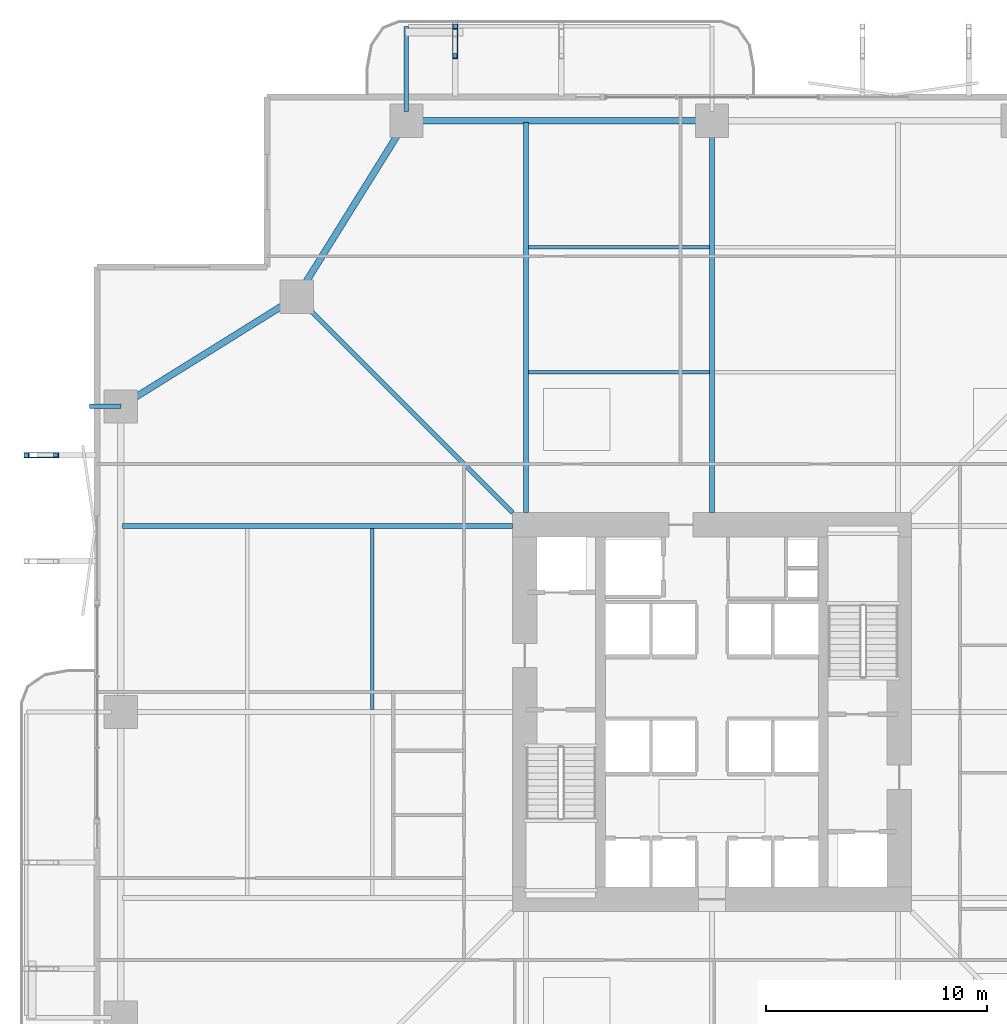
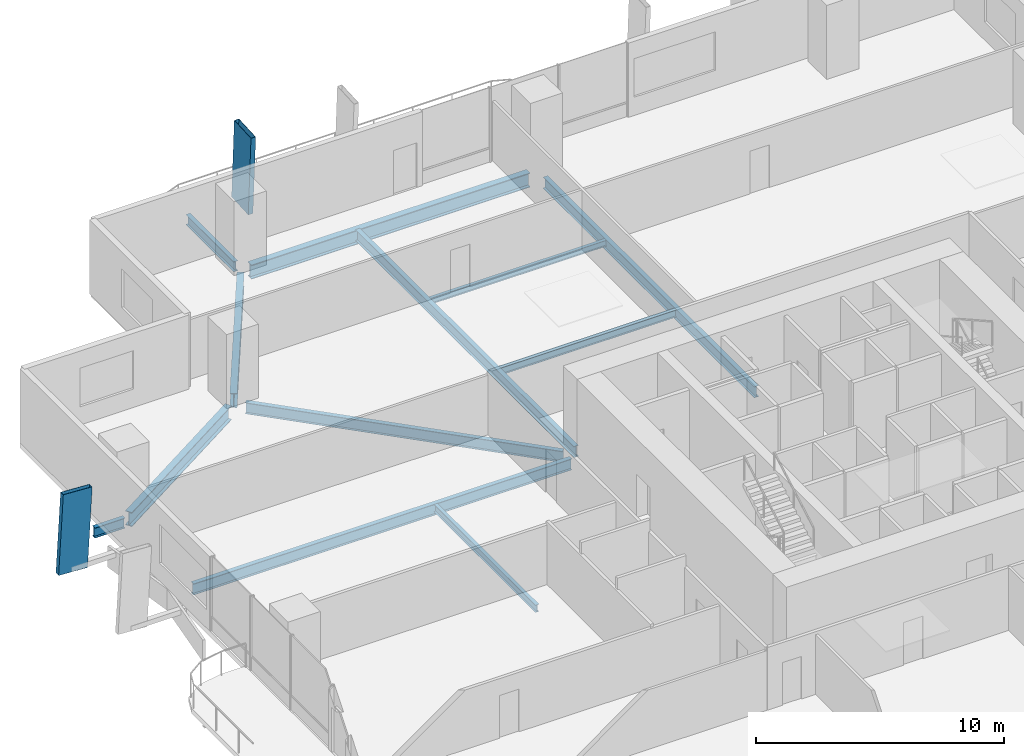
# One storey, part 10 of 24: 12 beams, 2 members.
"""IFC4 building model written with IfcOpenShell, lengths in metres."""

from ifc_helpers import new_model, si_unit, direction, frame, origin, origin_2d, place, context, subcontext, project, spatial, hollow_rectangle, i_section, extrude, material, material_profile, profile_set, type_object, element, save


model = new_model("IFC4")

# Units and contexts
model_context = context("Model", 3, precision=1e-05, world=origin(), true_north=direction((0.0, 1.0)))
body_context = subcontext(model_context, "Body", "Model", "MODEL_VIEW")
ifc_project = project(units=[si_unit("LENGTHUNIT", "METRE"), si_unit("AREAUNIT", "SQUARE_METRE"), si_unit("VOLUMEUNIT", "CUBIC_METRE"), si_unit("PLANEANGLEUNIT", "RADIAN"), si_unit("MASSUNIT", "GRAM", prefix="KILO")], contexts=[model_context])

# Site, building, storey
site_placement = place(None, origin())
site = spatial("IfcSite", under=ifc_project, at=site_placement, CompositionType="ELEMENT")
building_placement = place(site_placement, origin())
building = spatial("IfcBuilding", under=site, at=building_placement, Name="Belovzor Exchange Tower", CompositionType="ELEMENT")
storey_placement = place(building_placement, frame((0.0, 0.0, 49.5)))
storey = spatial("IfcBuildingStorey", under=building, at=storey_placement, Name="L11", CompositionType="ELEMENT", Elevation=49.5)

# Members
ifc_material_1 = material(Name="Extruded Architectural Terracotta on Steel S355 Carrier", Category="masonry")
ifc_material_profile_1 = material_profile(ifc_material_1, hollow_rectangle(XDim=0.219970703125, YDim=1.35009765625, WallThickness=0.013916015625, at=origin_2d()))
ifc_profile_set_1 = profile_set([ifc_material_profile_1], Name="Extruded Architectural Terracotta on Steel S355 Carrier")
member_type = type_object("IfcMemberType", Name="Base Arc Sweeping Terracotta Pylon Fin 1450", PredefinedType="USERDEFINED", material=ifc_profile_set_1)
for number, where, z_axis, x_axis, name in (
    (1, (17.199951171875, 59.197998046875, -0.25), (0.0, -0.056065425443, 0.998427097023), (1.0, 0.0, 0.0), "FIN-TC145 Terracotta Facade Fin L11 N1"),
    (2, (-1.597900390625, 40.39990234375, -0.25), (0.056065425443, 0.0, 0.998427097023), (0.0, 1.0, 0.0), "FIN-TC145 Terracotta Facade Fin L11 W4"),
):
    element("IfcMember", number, at=place(storey_placement, frame(where, z_axis=z_axis, x_axis=x_axis)), inside=storey, type_object=member_type, Name=name, ObjectType="FIN", PredefinedType="USERDEFINED", context=body_context, shape_type="SweptSolid", body=[
        extrude(hollow_rectangle(XDim=0.219970703125, YDim=1.35009765625, WallThickness=0.013916015625, at=origin_2d()), origin(), (0.0, 0.0, 1.0), 3.906005859375),
    ])

# Beams
ifc_material_2 = material(Name="Steel S355", Category="steel")
ifc_material_profile_2 = material_profile(ifc_material_2, i_section(OverallWidth=0.199951171875, OverallDepth=0.5, WebThickness=0.01025390625, FlangeThickness=0.01611328125, at=origin_2d()))
ifc_profile_set_2 = profile_set([ifc_material_profile_2], Name="Steel S355")
beam_type_1 = type_object("IfcBeamType", Name="Planted Balcony Cantilever Beam IPE 500", PredefinedType="BEAM", material=ifc_profile_set_2)
beam_1_placement = place(storey_placement, frame((15.0, 55.9130859375, -0.5), z_axis=(0.0, 1.0, 0.0), x_axis=(-1.0, 0.0, 0.0)))
element("IfcBeam", 3, at=beam_1_placement, inside=storey, type_object=beam_type_1, Name="BC-500 Planted Balcony Cantilever Beam IPE 500", PredefinedType="BEAM", context=body_context, shape_type="SweptSolid", body=[
    extrude(i_section(OverallWidth=0.199951171875, OverallDepth=0.5, WebThickness=0.01025390625, FlangeThickness=0.01611328125, at=origin_2d()), origin(), (0.0, 0.0, 1.0), 3.849853515625),
])
beam_2_placement = place(storey_placement, frame((2.10009765625, 42.60009765625, -0.5), z_axis=(-1.0, 0.0, 0.0), x_axis=(0.0, -1.0, 0.0)))
element("IfcBeam", 4, at=beam_2_placement, inside=storey, type_object=beam_type_1, Name="BC-500 Planted Balcony Cantilever Beam IPE 500", PredefinedType="BEAM", context=body_context, shape_type="SweptSolid", body=[
    extrude(i_section(OverallWidth=0.199951171875, OverallDepth=0.5, WebThickness=0.01025390625, FlangeThickness=0.01611328125, at=origin_2d()), origin(), (0.0, 0.0, 1.0), 1.400146484375),
])
ifc_material_3 = material(Name="Steel S355", Category="steel")
ifc_material_profile_3 = material_profile(ifc_material_3, i_section(OverallWidth=0.169921875, OverallDepth=0.360107421875, WebThickness=0.008056640625, FlangeThickness=0.0126953125, at=origin_2d()))
ifc_profile_set_3 = profile_set([ifc_material_profile_3], Name="Steel S355")
beam_type_2 = type_object("IfcBeamType", Name="Secondary Infill Floor Joist IPE 360", PredefinedType="BEAM", material=ifc_profile_set_3)
beam_3_placement = place(storey_placement, frame((20.5048828125, 44.14501953125, -0.429931640625), z_axis=(1.0, 0.0, 0.0), x_axis=(0.0, 1.0, 0.0)))
element("IfcBeam", 5, at=beam_3_placement, inside=storey, type_object=beam_type_2, Name="FJ-360 Secondary Infill Floor Joist IPE 360", PredefinedType="BEAM", context=body_context, shape_type="SweptSolid", body=[
    extrude(i_section(OverallWidth=0.169921875, OverallDepth=0.360107421875, WebThickness=0.008056640625, FlangeThickness=0.0126953125, at=origin_2d()), origin(), (0.0, 0.0, 1.0), 8.190185546875),
])
beam_4_placement = place(storey_placement, frame((13.455078125, 28.905029296875, -0.429931640625), z_axis=(0.0, 1.0, 0.0), x_axis=(-1.0, 0.0, 0.0)))
element("IfcBeam", 6, at=beam_4_placement, inside=storey, type_object=beam_type_2, Name="FJ-360 Secondary Infill Floor Joist IPE 360", PredefinedType="BEAM", context=body_context, shape_type="SweptSolid", body=[
    extrude(i_section(OverallWidth=0.169921875, OverallDepth=0.360107421875, WebThickness=0.008056640625, FlangeThickness=0.0126953125, at=origin_2d()), origin(), (0.0, 0.0, 1.0), 8.18994140625),
])
ifc_material_4 = material(Name="Steel S355", Category="steel")
ifc_material_profile_4 = material_profile(ifc_material_4, i_section(OverallWidth=0.14990234375, OverallDepth=0.300048828125, WebThickness=0.007080078125, FlangeThickness=0.0107421875, at=origin_2d()))
ifc_profile_set_4 = profile_set([ifc_material_profile_4], Name="Steel S355")
beam_type_3 = type_object("IfcBeamType", Name="Secondary Trim Floor Joist IPE 300", PredefinedType="BEAM", material=ifc_profile_set_4)
beam_5_placement = place(storey_placement, frame((20.5048828125, 49.784912109375, -0.39990234375), z_axis=(1.0, 0.0, 0.0), x_axis=(0.0, 1.0, 0.0)))
element("IfcBeam", 7, at=beam_5_placement, inside=storey, type_object=beam_type_3, Name="FJ-300 Secondary Trim Floor Joist IPE 300", PredefinedType="BEAM", context=body_context, shape_type="SweptSolid", body=[
    extrude(i_section(OverallWidth=0.14990234375, OverallDepth=0.300048828125, WebThickness=0.007080078125, FlangeThickness=0.0107421875, at=origin_2d()), origin(), (0.0, 0.0, 1.0), 8.190185546875),
])
ifc_material_5 = material(Name="Steel S355", Category="steel")
ifc_material_profile_5 = material_profile(ifc_material_5, i_section(OverallWidth=0.300048828125, OverallDepth=0.699951171875, WebThickness=0.01708984375, FlangeThickness=0.031982421875, at=origin_2d()))
ifc_profile_set_5 = profile_set([ifc_material_profile_5], Name="Steel S355")
beam_type_4 = type_object("IfcBeamType", Name="Zone 1 Primary Perimeter Girder HEB 700", PredefinedType="BEAM", material=ifc_profile_set_5)
beam_6_placement = place(storey_placement, frame((28.386962890625, 55.5, -0.60009765625), z_axis=(-1.0, 0.0, 0.0), x_axis=(0.0, -1.0, 0.0)))
element("IfcBeam", 8, at=beam_6_placement, inside=storey, type_object=beam_type_4, Name="FG-Z1 Zone 1 Primary Perimeter Girder HEB 700", PredefinedType="BEAM", context=body_context, shape_type="SweptSolid", body=[
    extrude(i_section(OverallWidth=0.300048828125, OverallDepth=0.699951171875, WebThickness=0.01708984375, FlangeThickness=0.031982421875, at=origin_2d()), origin(), (0.0, 0.0, 1.0), 12.974853515625),
])
for number, where, z_axis, x_axis, name in (
    (9, (14.781982421875, 55.14990234375, -0.60009765625), (-0.528538629686, -0.848909251292, 0.0), (0.848909251292, -0.528538629686, 0.0), "FG-Z1 Zone 1 Primary Perimeter Girder HEB 700"),
    (10, (9.699951171875, 47.33203125, -0.60009765625), (-0.848909251292, -0.528538629686, 0.0), (0.528538629686, -0.848909251292, 0.0), "FG-Z1 Zone 1 Primary Perimeter Girder HEB 700"),
):
    element("IfcBeam", number, at=place(storey_placement, frame(where, z_axis=z_axis, x_axis=x_axis)), inside=storey, type_object=beam_type_4, Name=name, PredefinedType="BEAM", context=body_context, shape_type="SweptSolid", body=[
        extrude(i_section(OverallWidth=0.300048828125, OverallDepth=0.699951171875, WebThickness=0.01708984375, FlangeThickness=0.031982421875, at=origin_2d()), origin(), (0.0, 0.0, 1.0), 8.540283203125),
    ])
ifc_material_6 = material(Name="Steel S355", Category="steel")
ifc_material_profile_6 = material_profile(ifc_material_6, i_section(OverallWidth=0.2099609375, OverallDepth=0.550048828125, WebThickness=0.010986328125, FlangeThickness=0.01708984375, at=origin_2d()))
ifc_profile_set_6 = profile_set([ifc_material_profile_6], Name="Steel S355")
beam_type_5 = type_object("IfcBeamType", Name="Zone 1 Radial Composite Floor Beam IPE 550", PredefinedType="BEAM", material=ifc_profile_set_6)
beam_7_placement = place(storey_placement, frame((20.39990234375, 37.800048828125, -0.52490234375), z_axis=(0.0, 1.0, 0.0), x_axis=(-1.0, 0.0, 0.0)))
element("IfcBeam", 11, at=beam_7_placement, inside=storey, type_object=beam_type_5, Name="FB-550 Zone 1 Radial Composite Floor Beam IPE 550", PredefinedType="BEAM", context=body_context, shape_type="SweptSolid", body=[
    extrude(i_section(OverallWidth=0.2099609375, OverallDepth=0.550048828125, WebThickness=0.010986328125, FlangeThickness=0.01708984375, at=origin_2d()), origin(), (0.0, 0.0, 1.0), 17.625),
])
beam_8_placement = place(storey_placement, frame((28.800048828125, 37.800048828125, -0.52490234375), z_axis=(0.0, 1.0, 0.0), x_axis=(-1.0, 0.0, 0.0)))
element("IfcBeam", 12, at=beam_8_placement, inside=storey, type_object=beam_type_5, Name="FB-550 Zone 1 Radial Composite Floor Beam IPE 550", PredefinedType="BEAM", context=body_context, shape_type="SweptSolid", body=[
    extrude(i_section(OverallWidth=0.2099609375, OverallDepth=0.550048828125, WebThickness=0.010986328125, FlangeThickness=0.01708984375, at=origin_2d()), origin(), (0.0, 0.0, 1.0), 17.0400390625),
])
beam_9_placement = place(storey_placement, frame((19.800048828125, 37.199951171875, -0.52490234375), z_axis=(-1.0, 0.0, 0.0), x_axis=(0.0, -1.0, 0.0)))
element("IfcBeam", 13, at=beam_9_placement, inside=storey, type_object=beam_type_5, Name="FB-550 Zone 1 Radial Composite Floor Beam IPE 550", PredefinedType="BEAM", context=body_context, shape_type="SweptSolid", body=[
    extrude(i_section(OverallWidth=0.2099609375, OverallDepth=0.550048828125, WebThickness=0.010986328125, FlangeThickness=0.01708984375, at=origin_2d()), origin(), (0.0, 0.0, 1.0), 17.625),
])
beam_10_placement = place(storey_placement, frame((19.800048828125, 37.800048828125, -0.52490234375), z_axis=(-0.707106781187, 0.707106781187, 0.0), x_axis=(-0.707106781187, -0.707106781187, 0.0)))
element("IfcBeam", 14, at=beam_10_placement, inside=storey, type_object=beam_type_5, Name="FB-550 Zone 1 Radial Composite Floor Beam IPE 550", PredefinedType="BEAM", context=body_context, shape_type="SweptSolid", body=[
    extrude(i_section(OverallWidth=0.2099609375, OverallDepth=0.550048828125, WebThickness=0.010986328125, FlangeThickness=0.01708984375, at=origin_2d()), origin(), (0.0, 0.0, 1.0), 13.25830078125),
])

save(model, "model.ifc")
